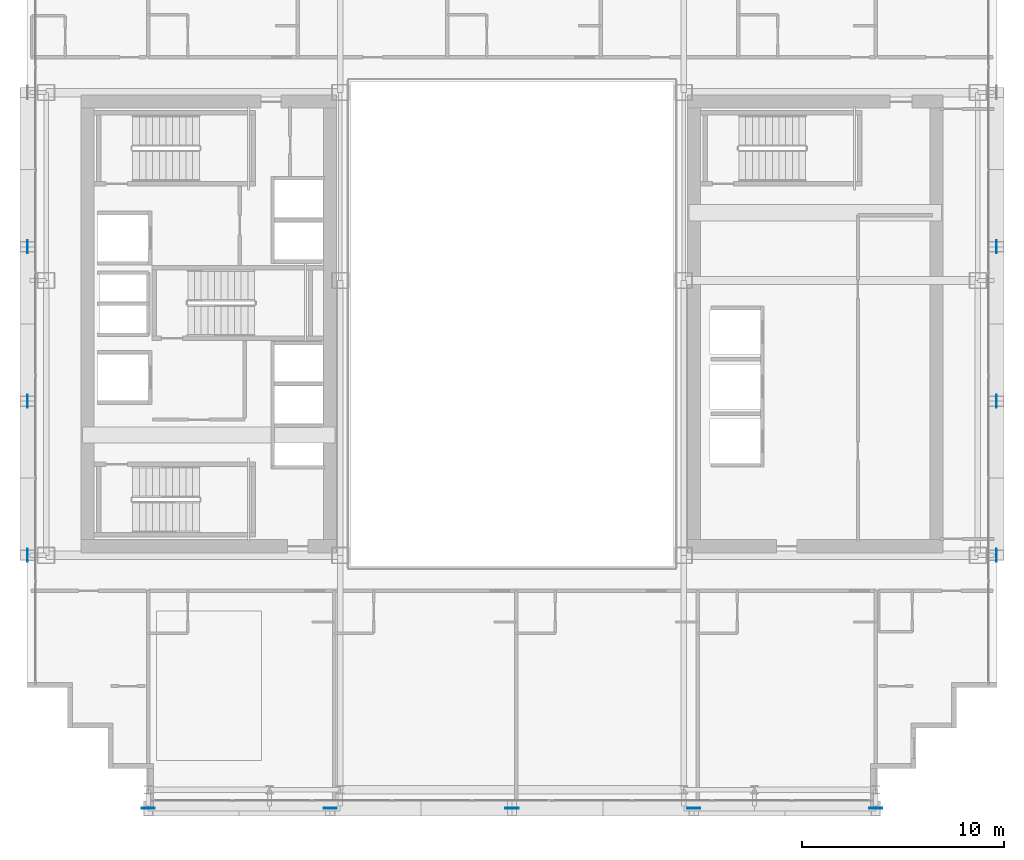
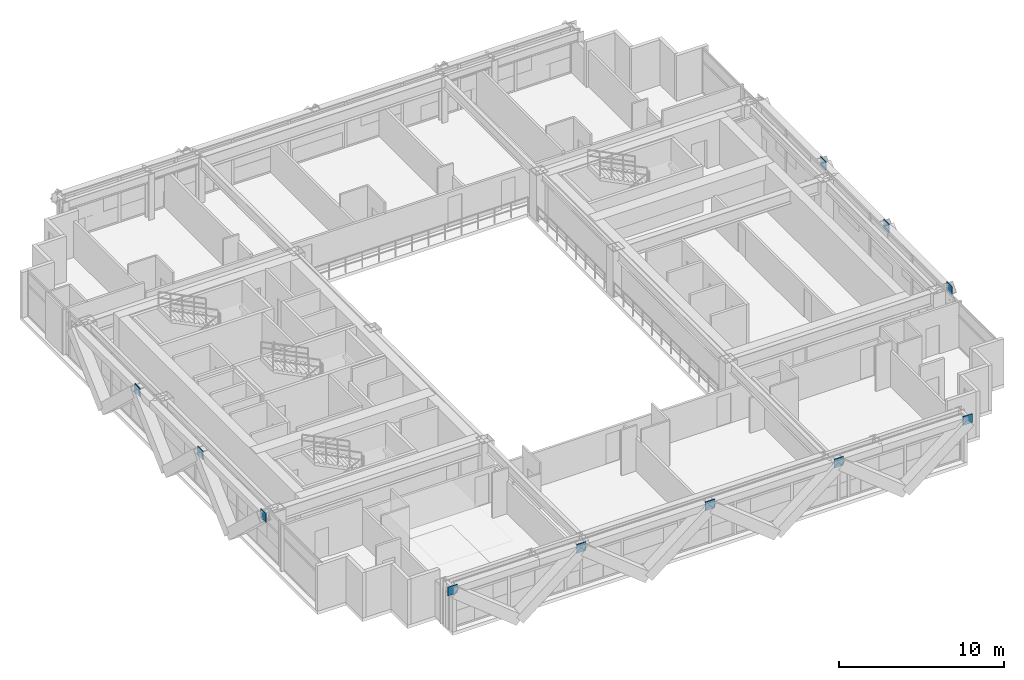
# One storey, part 25 of 34: 11 plates.
"""IFC4 building model written with IfcOpenShell, lengths in metres."""

import ifcopenshell
import ifcopenshell.guid

model = None  # the IFC model being written
_history = None  # IfcOwnerHistory: only IFC2X3 demands one
_inside = {}  # id of a spatial element -> (the spatial element, [elements in it])
_under = {}  # id of a project, library or spatial element -> (it, [spatial elements below it])
_declared = {}  # id of a project -> (the project, [libraries it declares])
_typed = {}  # id of a type object -> (the type object, [elements of that type])
_made_of = {}  # id of a material, layer set ... -> (it, [elements and type objects made of it])


def new_model(schema):
    """Start an empty IFC model of exactly this schema.

    Asked for "IFC4X3", IfcOpenShell would pick the latest addendum, in which some entities
    have other attributes; the version numbers below select the first issue.
    IFC2X3 requires an IfcOwnerHistory on every rooted entity: one is made here for all.
    """
    global model, _history
    if schema == "IFC4X3":
        model = ifcopenshell.file(schema_version=(4, 3, 0, 0))
    else:
        model = ifcopenshell.file(schema=schema)
    _inside.clear()
    _under.clear()
    _declared.clear()
    _typed.clear()
    _made_of.clear()
    _history = None
    if model.schema == "IFC2X3":
        org = make("IfcOrganization", Name="unknown")
        user = make(
            "IfcPersonAndOrganization",
            ThePerson=make("IfcPerson", FamilyName="unknown"),
            TheOrganization=org,
        )
        app = make(
            "IfcApplication",
            ApplicationDeveloper=org,
            Version="unknown",
            ApplicationFullName="unknown",
            ApplicationIdentifier="unknown",
        )
        _history = make(
            "IfcOwnerHistory",
            OwningUser=user,
            OwningApplication=app,
            ChangeAction="ADDED",
            CreationDate=0,
        )
    return model


def make(cls, **values):
    """One entity of the class cls with the attributes given. An attribute that is None is left unset."""
    return model.create_entity(
        cls, **{name: value for name, value in values.items() if value is not None}
    )


def rooted(cls, **values):
    """An entity with a GlobalId (a new one), such as an element, a storey or a relation."""
    return make(cls, GlobalId=ifcopenshell.guid.new(), OwnerHistory=_history, **values)


def si_unit(unit_type, name, prefix=None):
    """IfcSIUnit, for example si_unit("LENGTHUNIT", "METRE", prefix="MILLI")."""
    return make("IfcSIUnit", UnitType=unit_type, Prefix=prefix, Name=name)


def assignment(units):
    """IfcUnitAssignment: the units of a project."""
    return None if units is None else make("IfcUnitAssignment", Units=units)


def point(xyz):
    """IfcCartesianPoint."""
    return None if xyz is None else make("IfcCartesianPoint", Coordinates=xyz)


def direction(xyz):
    """IfcDirection."""
    return None if xyz is None else make("IfcDirection", DirectionRatios=xyz)


def frame(location, z_axis=None, x_axis=None):
    """IfcAxis2Placement3D, a coordinate frame: its origin and axes. An axis left out is left unset."""
    return make(
        "IfcAxis2Placement3D",
        Location=point(location),
        Axis=direction(z_axis),
        RefDirection=direction(x_axis),
    )


def frame_2d(location, x_axis=None):
    """IfcAxis2Placement2D, a coordinate frame in the plane: its origin and x axis."""
    return make(
        "IfcAxis2Placement2D", Location=point(location), RefDirection=direction(x_axis)
    )


def origin():
    """The frame at (0, 0, 0) with its axes left unset."""
    return frame((0.0, 0.0, 0.0))


def origin_2d():
    """The frame at (0, 0) in the plane with its x axis left unset."""
    return frame_2d((0.0, 0.0))


def place(relative_to, where):
    """IfcLocalPlacement: puts the frame where relative to a parent placement (None: the world)."""
    return make(
        "IfcLocalPlacement", PlacementRelTo=relative_to, RelativePlacement=where
    )


def context(
    kind, dimensions, precision=None, world=None, true_north=None, identifier=None
):
    """IfcGeometricRepresentationContext, for example the 3D "Model" context."""
    return make(
        "IfcGeometricRepresentationContext",
        ContextIdentifier=identifier,
        ContextType=kind,
        CoordinateSpaceDimension=dimensions,
        Precision=precision,
        WorldCoordinateSystem=world,
        TrueNorth=true_north,
    )


def subcontext(parent, identifier, kind, view, scale=None):
    """IfcGeometricRepresentationSubContext, for example "Body" below "Model"."""
    return make(
        "IfcGeometricRepresentationSubContext",
        ContextIdentifier=identifier,
        ContextType=kind,
        ParentContext=parent,
        TargetScale=scale,
        TargetView=view,
    )


def project(units=None, contexts=None):
    """IfcProject with its units and contexts."""
    return rooted(
        "IfcProject",
        Name="project",
        RepresentationContexts=contexts,
        UnitsInContext=assignment(units),
    )


def spatial(cls, under=None, at=None, **own):
    """A site, building, storey or space (cls), placed at a placement, below another one or the project."""
    s = rooted(cls, ObjectPlacement=at, **own)
    if under is not None:
        _under.setdefault(under.id(), (under, []))[1].append(s)
    return s


def profile(cls, at=None, kind="AREA", **sizes):
    """A parametric profile (cls). Its sizes go by their IFC names, for example OverallWidth=200.0."""
    return make(cls, ProfileType=kind, Position=at, **sizes)


def rectangle(**sizes):
    """IfcRectangleProfileDef."""
    return profile("IfcRectangleProfileDef", **sizes)


def extrude(swept, where, along, depth):
    """IfcExtrudedAreaSolid: the profile swept, set in the frame where, extruded along a direction by depth."""
    return make(
        "IfcExtrudedAreaSolid",
        SweptArea=swept,
        Position=where,
        ExtrudedDirection=direction(along),
        Depth=depth,
    )


def shape(context_of_items, identifier, shape_type, items):
    """IfcShapeRepresentation: the items that make up one representation, for example the "Body"."""
    return make(
        "IfcShapeRepresentation",
        ContextOfItems=context_of_items,
        RepresentationIdentifier=identifier,
        RepresentationType=shape_type,
        Items=items,
    )


def source(mapping_origin, context_of_items, identifier, shape_type, items):
    """IfcRepresentationMap: a shape defined once, which mapped items show again and again."""
    return make(
        "IfcRepresentationMap",
        MappingOrigin=mapping_origin,
        MappedRepresentation=shape(context_of_items, identifier, shape_type, items),
    )


def transform(
    local_origin,
    x_axis=None,
    y_axis=None,
    z_axis=None,
    scale=None,
    scale2=None,
    scale3=None,
    uniform=True,
):
    """IfcCartesianTransformationOperator3D, or its non-uniform kind. x_axis, y_axis, z_axis: its Axis1, 2, 3."""
    if uniform:
        return make(
            "IfcCartesianTransformationOperator3D",
            Axis1=direction(x_axis),
            Axis2=direction(y_axis),
            LocalOrigin=point(local_origin),
            Scale=scale,
            Axis3=direction(z_axis),
        )
    return make(
        "IfcCartesianTransformationOperator3DnonUniform",
        Axis1=direction(x_axis),
        Axis2=direction(y_axis),
        LocalOrigin=point(local_origin),
        Scale=scale,
        Axis3=direction(z_axis),
        Scale2=scale2,
        Scale3=scale3,
    )


def mapped(mapping_source, mapping_target):
    """IfcMappedItem: shows the shape of a source again, moved by a transform."""
    return make(
        "IfcMappedItem", MappingSource=mapping_source, MappingTarget=mapping_target
    )


def material(Name=None, Category=None):
    """IfcMaterial."""
    return make("IfcMaterial", Name=Name, Category=Category)


def layer(
    of_material, thickness, ventilated=None, Name=None, Category=None, Priority=None
):
    """IfcMaterialLayer: one layer of a wall or slab, of a material (None: an air gap)."""
    return make(
        "IfcMaterialLayer",
        Material=of_material,
        LayerThickness=thickness,
        IsVentilated=ventilated,
        Name=Name,
        Category=Category,
        Priority=Priority,
    )


def layer_set(layers, Name=None):
    """IfcMaterialLayerSet."""
    return make("IfcMaterialLayerSet", MaterialLayers=layers, LayerSetName=Name)


def made_of(thing, what):
    """Note that an element or type object is made of a material, layer set ...; save() writes the relation."""
    if what is not None:
        _made_of.setdefault(what.id(), (what, []))[1].append(thing)
    return thing


def type_object(cls, material=None, **own):
    """A type object (cls), such as IfcWallType, which elements share."""
    return made_of(rooted(cls, **own), material)


def element(
    cls,
    number,
    at=None,
    inside=None,
    cuts=None,
    type_object=None,
    material=None,
    context=None,
    identifier="Body",
    shape_type=None,
    held_by="IfcProductDefinitionShape",
    body=None,
    shapes=None,
    **own,
):
    """One element of the class cls, such as IfcWall. Its Tag is "e" and its number.

    at: its placement. inside: the storey or other place that contains it. cuts: it is an
    opening in that element (IfcRelVoidsElement). A single representation is given by context,
    identifier, shape_type and body (its items); several are given by shapes. held_by: the class
    of the entity that holds the representations. save() writes the other relations.
    """
    e = rooted(cls, Tag="e%d" % number, ObjectPlacement=at, **own)
    if body is not None:
        shapes = [shape(context, identifier, shape_type, body)]
    if shapes is not None:
        e.Representation = make(held_by, Representations=shapes)
    if inside is not None:
        _inside.setdefault(inside.id(), (inside, []))[1].append(e)
    if cuts is not None:
        rooted(
            "IfcRelVoidsElement", RelatingBuildingElement=cuts, RelatedOpeningElement=e
        )
    if type_object is not None:
        _typed.setdefault(type_object.id(), (type_object, []))[1].append(e)
    return made_of(e, material)


def aggregate(whole, parts):
    """IfcRelAggregates: a whole, such as a stair, and the parts it consists of."""
    return rooted("IfcRelAggregates", RelatingObject=whole, RelatedObjects=parts)


def save(model, path):
    """Write the relations noted so far, then the file.

    IfcRelAggregates (storeys below a building ...), IfcRelContainedInSpatialStructure (elements
    in a storey), IfcRelDefinesByType, IfcRelAssociatesMaterial and IfcRelDeclares: one each for
    every whole, place, type object, material and project.
    """
    for whole, parts in _under.values():
        aggregate(whole, parts)
    for where, things in _inside.values():
        rooted(
            "IfcRelContainedInSpatialStructure",
            RelatedElements=things,
            RelatingStructure=where,
        )
    for kind, things in _typed.values():
        rooted("IfcRelDefinesByType", RelatedObjects=things, RelatingType=kind)
    for what, things in _made_of.values():
        rooted("IfcRelAssociatesMaterial", RelatedObjects=things, RelatingMaterial=what)
    for by, libraries in _declared.values():
        rooted("IfcRelDeclares", RelatingContext=by, RelatedDefinitions=libraries)
    model.write(path)


model = new_model("IFC4")

# Units and contexts
model_context = context("Model", 3, precision=1e-05, world=origin(), true_north=direction((0.0, 1.0)))
body_context = subcontext(model_context, "Body", "Model", "MODEL_VIEW")
ifc_project = project(units=[si_unit("LENGTHUNIT", "METRE"), si_unit("AREAUNIT", "SQUARE_METRE"), si_unit("VOLUMEUNIT", "CUBIC_METRE"), si_unit("PLANEANGLEUNIT", "RADIAN"), si_unit("MASSUNIT", "GRAM", prefix="KILO")], contexts=[model_context])

# Site, building, storey
site_placement = place(None, origin())
site = spatial("IfcSite", under=ifc_project, at=site_placement, CompositionType="ELEMENT")
building_placement = place(site_placement, origin())
building = spatial("IfcBuilding", under=site, at=building_placement, Name="Ocotamira Hotel", CompositionType="ELEMENT")
storey_placement = place(building_placement, frame((0.0, 0.0, 108.0)))
storey = spatial("IfcBuildingStorey", under=building, at=storey_placement, Name="L26", CompositionType="ELEMENT", Elevation=108.0)

# Plates
ifc_material = material(Name="Pale-metal coated steel ASTM A572 Grade 50", Category="steel")
ifc_layer = layer(ifc_material, 0.0400390625)
ifc_layer_set = layer_set([ifc_layer], Name="Pale-metal coated steel ASTM A572 Grade 50")
plate_type = type_object("IfcPlateType", Name="PLT-GUSSET-40", PredefinedType="SHEET", material=ifc_layer_set)
shared_shape_1 = source(origin(), body_context, "Body", "SweptSolid", [
    extrude(rectangle(XDim=0.64990234375, YDim=0.0400390625, at=origin_2d()), origin(), (0.0, 0.0, 1.0), 0.64990234375),
])
for number, where, z_axis, x_axis, name in (
    (1, (14.0, 2.030029296875, 2.78515625), (0.0, 0.0, 1.0), (-1.0, 0.0, 0.0), "L26 Exoskeleton Diagrid S0.1 End Gusset B"),
    (2, (23.0, 2.030029296875, 2.78515625), (0.0, 0.0, 1.0), (1.0, 0.0, 0.0), "L26 Exoskeleton Diagrid S0.2 End Gusset B"),
    (3, (32.0, 2.030029296875, 2.78515625), (0.0, 0.0, 1.0), (1.0, 0.0, 0.0), "L26 Exoskeleton Diagrid S1.2 End Gusset B"),
    (4, (41.0, 2.030029296875, 2.78515625), (0.0, 0.0, 1.0), (1.0, 0.0, 0.0), "L26 Exoskeleton Diagrid S2.2 End Gusset B"),
    (5, (50.0, 2.030029296875, 2.78515625), (0.0, 0.0, 1.0), (1.0, 0.0, 0.0), "L26 Exoskeleton Diagrid S3.2 End Gusset B"),
):
    element("IfcPlate", number, at=place(storey_placement, frame(where, z_axis=z_axis, x_axis=x_axis)), inside=storey, type_object=plate_type, Name=name, PredefinedType="SHEET", context=body_context, shape_type="MappedRepresentation", body=[
        mapped(shared_shape_1, transform((0.0, 0.0, 0.0), scale=1.0)),
    ])
shared_shape_2 = source(origin(), body_context, "Body", "SweptSolid", [
    extrude(rectangle(XDim=0.0400390625, YDim=0.64990234375, at=origin_2d()), origin(), (0.0, 0.0, 1.0), 0.64990234375),
])
for number, where, z_axis, x_axis, name in (
    (6, (8.030029296875, 14.550048828125, 2.78515625), (0.0, 0.0, 1.0), (1.0, 0.0, 0.0), "L26 Exoskeleton Diagrid W0.1 End Gusset B"),
    (7, (8.030029296875, 22.183349609375, 2.78515625), (0.0, 0.0, 1.0), (1.0, 0.0, 0.0), "L26 Exoskeleton Diagrid W0.2 End Gusset B"),
    (8, (8.030029296875, 29.816650390625, 2.78515625), (0.0, 0.0, 1.0), (1.0, 0.0, 0.0), "L26 Exoskeleton Diagrid W1.2 End Gusset B"),
    (9, (55.969970703125, 14.550048828125, 2.78515625), (0.0, 0.0, 1.0), (1.0, 0.0, 0.0), "L26 Exoskeleton Diagrid E0.1 End Gusset B"),
    (10, (55.969970703125, 22.183349609375, 2.78515625), (0.0, 0.0, 1.0), (1.0, 0.0, 0.0), "L26 Exoskeleton Diagrid E0.2 End Gusset B"),
    (11, (55.969970703125, 29.816650390625, 2.78515625), (0.0, 0.0, 1.0), (1.0, 0.0, 0.0), "L26 Exoskeleton Diagrid E1.2 End Gusset B"),
):
    element("IfcPlate", number, at=place(storey_placement, frame(where, z_axis=z_axis, x_axis=x_axis)), inside=storey, type_object=plate_type, Name=name, PredefinedType="SHEET", context=body_context, shape_type="MappedRepresentation", body=[
        mapped(shared_shape_2, transform((0.0, 0.0, 0.0), scale=1.0)),
    ])

save(model, "model.ifc")
